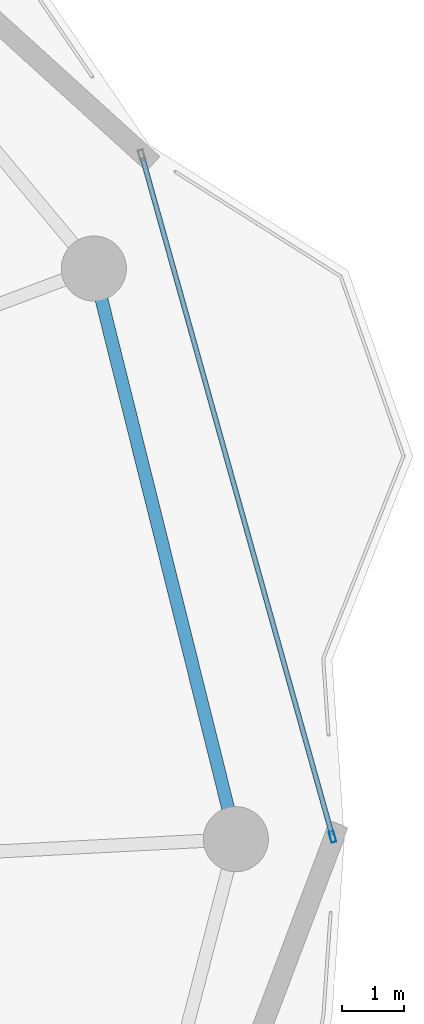
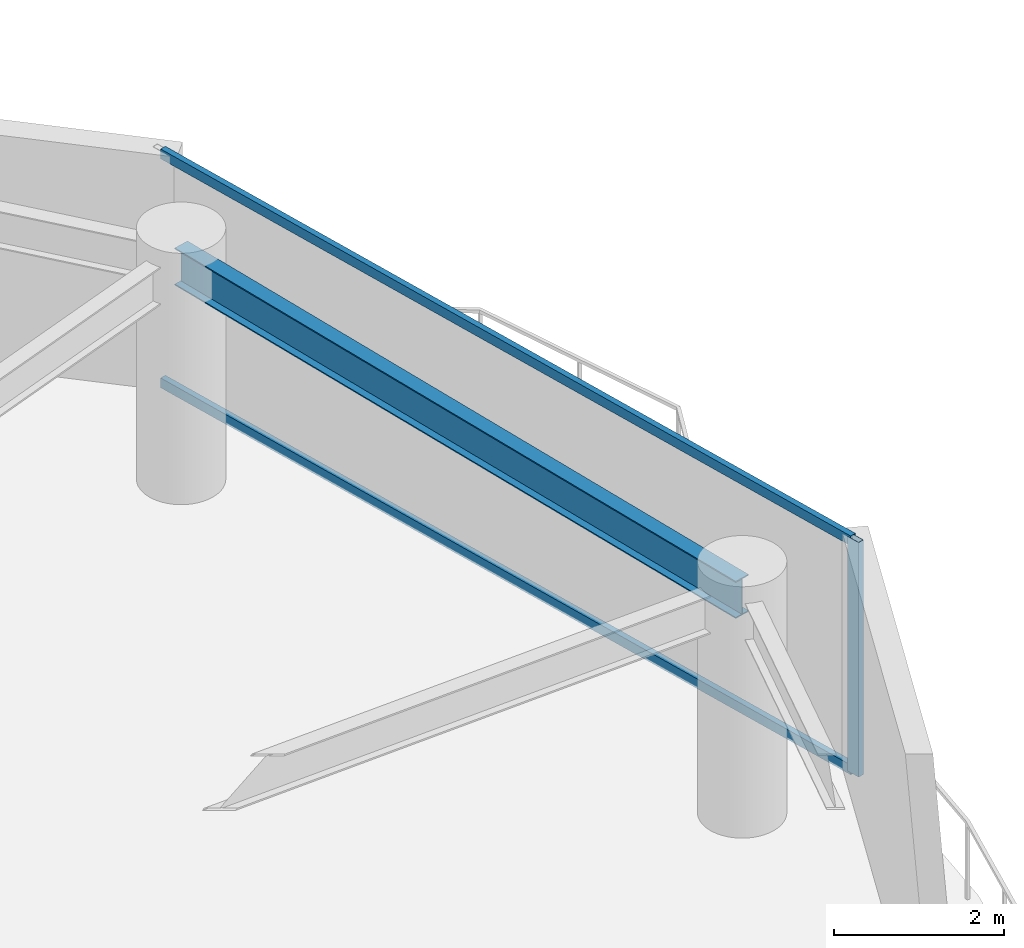
# One storey, part 15 of 28: 3 members, 1 beam, 1 element without a shape of its own.
"""IFC4 building model written with IfcOpenShell, lengths in metres."""

import ifcopenshell
import ifcopenshell.guid

model = None  # the IFC model being written
_history = None  # IfcOwnerHistory: only IFC2X3 demands one
_inside = {}  # id of a spatial element -> (the spatial element, [elements in it])
_under = {}  # id of a project, library or spatial element -> (it, [spatial elements below it])
_declared = {}  # id of a project -> (the project, [libraries it declares])
_typed = {}  # id of a type object -> (the type object, [elements of that type])
_made_of = {}  # id of a material, layer set ... -> (it, [elements and type objects made of it])


def new_model(schema):
    """Start an empty IFC model of exactly this schema.

    Asked for "IFC4X3", IfcOpenShell would pick the latest addendum, in which some entities
    have other attributes; the version numbers below select the first issue.
    IFC2X3 requires an IfcOwnerHistory on every rooted entity: one is made here for all.
    """
    global model, _history
    if schema == "IFC4X3":
        model = ifcopenshell.file(schema_version=(4, 3, 0, 0))
    else:
        model = ifcopenshell.file(schema=schema)
    _inside.clear()
    _under.clear()
    _declared.clear()
    _typed.clear()
    _made_of.clear()
    _history = None
    if model.schema == "IFC2X3":
        org = make("IfcOrganization", Name="unknown")
        user = make(
            "IfcPersonAndOrganization",
            ThePerson=make("IfcPerson", FamilyName="unknown"),
            TheOrganization=org,
        )
        app = make(
            "IfcApplication",
            ApplicationDeveloper=org,
            Version="unknown",
            ApplicationFullName="unknown",
            ApplicationIdentifier="unknown",
        )
        _history = make(
            "IfcOwnerHistory",
            OwningUser=user,
            OwningApplication=app,
            ChangeAction="ADDED",
            CreationDate=0,
        )
    return model


def make(cls, **values):
    """One entity of the class cls with the attributes given. An attribute that is None is left unset."""
    return model.create_entity(
        cls, **{name: value for name, value in values.items() if value is not None}
    )


def rooted(cls, **values):
    """An entity with a GlobalId (a new one), such as an element, a storey or a relation."""
    return make(cls, GlobalId=ifcopenshell.guid.new(), OwnerHistory=_history, **values)


def si_unit(unit_type, name, prefix=None):
    """IfcSIUnit, for example si_unit("LENGTHUNIT", "METRE", prefix="MILLI")."""
    return make("IfcSIUnit", UnitType=unit_type, Prefix=prefix, Name=name)


def assignment(units):
    """IfcUnitAssignment: the units of a project."""
    return None if units is None else make("IfcUnitAssignment", Units=units)


def point(xyz):
    """IfcCartesianPoint."""
    return None if xyz is None else make("IfcCartesianPoint", Coordinates=xyz)


def direction(xyz):
    """IfcDirection."""
    return None if xyz is None else make("IfcDirection", DirectionRatios=xyz)


def frame(location, z_axis=None, x_axis=None):
    """IfcAxis2Placement3D, a coordinate frame: its origin and axes. An axis left out is left unset."""
    return make(
        "IfcAxis2Placement3D",
        Location=point(location),
        Axis=direction(z_axis),
        RefDirection=direction(x_axis),
    )


def frame_2d(location, x_axis=None):
    """IfcAxis2Placement2D, a coordinate frame in the plane: its origin and x axis."""
    return make(
        "IfcAxis2Placement2D", Location=point(location), RefDirection=direction(x_axis)
    )


def origin():
    """The frame at (0, 0, 0) with its axes left unset."""
    return frame((0.0, 0.0, 0.0))


def origin_2d():
    """The frame at (0, 0) in the plane with its x axis left unset."""
    return frame_2d((0.0, 0.0))


def place(relative_to, where):
    """IfcLocalPlacement: puts the frame where relative to a parent placement (None: the world)."""
    return make(
        "IfcLocalPlacement", PlacementRelTo=relative_to, RelativePlacement=where
    )


def context(
    kind, dimensions, precision=None, world=None, true_north=None, identifier=None
):
    """IfcGeometricRepresentationContext, for example the 3D "Model" context."""
    return make(
        "IfcGeometricRepresentationContext",
        ContextIdentifier=identifier,
        ContextType=kind,
        CoordinateSpaceDimension=dimensions,
        Precision=precision,
        WorldCoordinateSystem=world,
        TrueNorth=true_north,
    )


def subcontext(parent, identifier, kind, view, scale=None):
    """IfcGeometricRepresentationSubContext, for example "Body" below "Model"."""
    return make(
        "IfcGeometricRepresentationSubContext",
        ContextIdentifier=identifier,
        ContextType=kind,
        ParentContext=parent,
        TargetScale=scale,
        TargetView=view,
    )


def project(units=None, contexts=None):
    """IfcProject with its units and contexts."""
    return rooted(
        "IfcProject",
        Name="project",
        RepresentationContexts=contexts,
        UnitsInContext=assignment(units),
    )


def spatial(cls, under=None, at=None, **own):
    """A site, building, storey or space (cls), placed at a placement, below another one or the project."""
    s = rooted(cls, ObjectPlacement=at, **own)
    if under is not None:
        _under.setdefault(under.id(), (under, []))[1].append(s)
    return s


def profile(cls, at=None, kind="AREA", **sizes):
    """A parametric profile (cls). Its sizes go by their IFC names, for example OverallWidth=200.0."""
    return make(cls, ProfileType=kind, Position=at, **sizes)


def hollow_rectangle(**sizes):
    """IfcRectangleHollowProfileDef."""
    return profile("IfcRectangleHollowProfileDef", **sizes)


def i_section(**sizes):
    """IfcIShapeProfileDef."""
    return profile("IfcIShapeProfileDef", **sizes)


def extrude(swept, where, along, depth):
    """IfcExtrudedAreaSolid: the profile swept, set in the frame where, extruded along a direction by depth."""
    return make(
        "IfcExtrudedAreaSolid",
        SweptArea=swept,
        Position=where,
        ExtrudedDirection=direction(along),
        Depth=depth,
    )


def shape(context_of_items, identifier, shape_type, items):
    """IfcShapeRepresentation: the items that make up one representation, for example the "Body"."""
    return make(
        "IfcShapeRepresentation",
        ContextOfItems=context_of_items,
        RepresentationIdentifier=identifier,
        RepresentationType=shape_type,
        Items=items,
    )


def material(Name=None, Category=None):
    """IfcMaterial."""
    return make("IfcMaterial", Name=Name, Category=Category)


def layer(
    of_material, thickness, ventilated=None, Name=None, Category=None, Priority=None
):
    """IfcMaterialLayer: one layer of a wall or slab, of a material (None: an air gap)."""
    return make(
        "IfcMaterialLayer",
        Material=of_material,
        LayerThickness=thickness,
        IsVentilated=ventilated,
        Name=Name,
        Category=Category,
        Priority=Priority,
    )


def layer_set(layers, Name=None):
    """IfcMaterialLayerSet."""
    return make("IfcMaterialLayerSet", MaterialLayers=layers, LayerSetName=Name)


def material_profile(
    of_material, cross_section, Name=None, Category=None, Priority=None
):
    """IfcMaterialProfile: a cross section and its material."""
    return make(
        "IfcMaterialProfile",
        Name=Name,
        Material=of_material,
        Profile=cross_section,
        Priority=Priority,
        Category=Category,
    )


def profile_set(profiles, Name=None, composite=None):
    """IfcMaterialProfileSet."""
    return make(
        "IfcMaterialProfileSet",
        Name=Name,
        MaterialProfiles=profiles,
        CompositeProfile=composite,
    )


def made_of(thing, what):
    """Note that an element or type object is made of a material, layer set ...; save() writes the relation."""
    if what is not None:
        _made_of.setdefault(what.id(), (what, []))[1].append(thing)
    return thing


def type_object(cls, material=None, **own):
    """A type object (cls), such as IfcWallType, which elements share."""
    return made_of(rooted(cls, **own), material)


def element(
    cls,
    number,
    at=None,
    inside=None,
    cuts=None,
    type_object=None,
    material=None,
    context=None,
    identifier="Body",
    shape_type=None,
    held_by="IfcProductDefinitionShape",
    body=None,
    shapes=None,
    **own,
):
    """One element of the class cls, such as IfcWall. Its Tag is "e" and its number.

    at: its placement. inside: the storey or other place that contains it. cuts: it is an
    opening in that element (IfcRelVoidsElement). A single representation is given by context,
    identifier, shape_type and body (its items); several are given by shapes. held_by: the class
    of the entity that holds the representations. save() writes the other relations.
    """
    e = rooted(cls, Tag="e%d" % number, ObjectPlacement=at, **own)
    if body is not None:
        shapes = [shape(context, identifier, shape_type, body)]
    if shapes is not None:
        e.Representation = make(held_by, Representations=shapes)
    if inside is not None:
        _inside.setdefault(inside.id(), (inside, []))[1].append(e)
    if cuts is not None:
        rooted(
            "IfcRelVoidsElement", RelatingBuildingElement=cuts, RelatedOpeningElement=e
        )
    if type_object is not None:
        _typed.setdefault(type_object.id(), (type_object, []))[1].append(e)
    return made_of(e, material)


def aggregate(whole, parts):
    """IfcRelAggregates: a whole, such as a stair, and the parts it consists of."""
    return rooted("IfcRelAggregates", RelatingObject=whole, RelatedObjects=parts)


def save(model, path):
    """Write the relations noted so far, then the file.

    IfcRelAggregates (storeys below a building ...), IfcRelContainedInSpatialStructure (elements
    in a storey), IfcRelDefinesByType, IfcRelAssociatesMaterial and IfcRelDeclares: one each for
    every whole, place, type object, material and project.
    """
    for whole, parts in _under.values():
        aggregate(whole, parts)
    for where, things in _inside.values():
        rooted(
            "IfcRelContainedInSpatialStructure",
            RelatedElements=things,
            RelatingStructure=where,
        )
    for kind, things in _typed.values():
        rooted("IfcRelDefinesByType", RelatedObjects=things, RelatingType=kind)
    for what, things in _made_of.values():
        rooted("IfcRelAssociatesMaterial", RelatedObjects=things, RelatingMaterial=what)
    for by, libraries in _declared.values():
        rooted("IfcRelDeclares", RelatingContext=by, RelatedDefinitions=libraries)
    model.write(path)


model = new_model("IFC4")

# Units and contexts
model_context = context("Model", 3, precision=1e-05, world=origin(), true_north=direction((0.0, 1.0)))
body_context = subcontext(model_context, "Body", "Model", "MODEL_VIEW")
ifc_project = project(units=[si_unit("LENGTHUNIT", "METRE"), si_unit("AREAUNIT", "SQUARE_METRE"), si_unit("VOLUMEUNIT", "CUBIC_METRE"), si_unit("PLANEANGLEUNIT", "RADIAN"), si_unit("MASSUNIT", "GRAM", prefix="KILO")], contexts=[model_context])

# Site, building, storey
site_placement = place(None, origin())
site = spatial("IfcSite", under=ifc_project, at=site_placement, CompositionType="ELEMENT")
building_placement = place(site_placement, origin())
building = spatial("IfcBuilding", under=site, at=building_placement, Name="Kazevale Care Tower and Concert Hall", CompositionType="ELEMENT")
storey_placement = place(building_placement, frame((0.0, 0.0, 228.0)))
storey = spatial("IfcBuildingStorey", under=building, at=storey_placement, Name="L60", CompositionType="ELEMENT", Elevation=228.0)

# Curtain wall, members
ifc_material_1 = material(Name="Aluminium 6063-T6 and Low-E Glass", Category="aluminium")
ifc_layer = layer(ifc_material_1, 0.179931640625)
ifc_layer_set = layer_set([ifc_layer], Name="Aluminium 6063-T6 and Low-E Glass")
curtain_wall_type = type_object("IfcCurtainWallType", Name="Waist & Upper Residential Curtain Wall CW-4", PredefinedType="NOTDEFINED", material=ifc_layer_set)
curtain_wall_placement = place(storey_placement, origin())
curtain_wall = element("IfcCurtainWall", 1, at=curtain_wall_placement, inside=storey, type_object=curtain_wall_type, Name="cw:L60:f18", PredefinedType="NOTDEFINED")
ifc_material_2 = material(Name="Aluminium 6063-T6", Category="aluminium")
ifc_material_profile_1 = material_profile(ifc_material_2, hollow_rectangle(XDim=0.080078125, YDim=0.179931640625, WallThickness=0.0048828125, at=origin_2d()), Name="ALU80x180x5")
ifc_profile_set_1 = profile_set([ifc_material_profile_1], Name="Aluminium 6063-T6")
member_type_1 = type_object("IfcMemberType", Name="CW-4 Mullion ALU80x180x5", PredefinedType="MULLION", material=ifc_profile_set_1)
member_1_placement = place(storey_placement, frame((76.609130859375, 38.03857421875, 0.0), z_axis=(0.0, 0.0, 1.0), x_axis=(0.962972156211, 0.269600864915, 0.0)))
member_1 = element("IfcMember", 2, at=member_1_placement, type_object=member_type_1, Name="CW-4 mullion 2", PredefinedType="MULLION", context=body_context, shape_type="SweptSolid", body=[
    extrude(hollow_rectangle(XDim=0.080078125, YDim=0.179931640625, WallThickness=0.0048828125, at=origin_2d()), origin(), (0.0, 0.0, 1.0), 3.360107421875),
])
ifc_material_profile_2 = material_profile(ifc_material_2, hollow_rectangle(XDim=0.080078125, YDim=0.139892578125, WallThickness=0.00390625, at=origin_2d()), Name="ALU80x140x4")
ifc_profile_set_2 = profile_set([ifc_material_profile_2], Name="Aluminium 6063-T6")
member_type_2 = type_object("IfcMemberType", Name="CW-4 Transom ALU80x140x4", PredefinedType="USERDEFINED", material=ifc_profile_set_2)
member_2_placement = place(storey_placement, frame((73.544677734375, 48.98486328125, 0.0400390625), z_axis=(0.269593149795, -0.96297431616, 0.0), x_axis=(0.96297431616, 0.269593149795, 0.0)))
member_2 = element("IfcMember", 3, at=member_2_placement, type_object=member_type_2, Name="CW-4 transom 1.1", ObjectType="TRANSOM", PredefinedType="USERDEFINED", context=body_context, shape_type="SweptSolid", body=[
    extrude(hollow_rectangle(XDim=0.080078125, YDim=0.139892578125, WallThickness=0.00390625, at=origin_2d()), origin(), (0.0, 0.0, 1.0), 11.3271484375),
])
member_3_placement = place(storey_placement, frame((73.544677734375, 48.98486328125, 3.320068359375), z_axis=(0.269593149795, -0.96297431616, 0.0), x_axis=(0.96297431616, 0.269593149795, 0.0)))
member_3 = element("IfcMember", 4, at=member_3_placement, type_object=member_type_2, Name="CW-4 transom 1.2", ObjectType="TRANSOM", PredefinedType="USERDEFINED", context=body_context, shape_type="SweptSolid", body=[
    extrude(hollow_rectangle(XDim=0.080078125, YDim=0.139892578125, WallThickness=0.00390625, at=origin_2d()), origin(), (0.0, 0.0, 1.0), 11.3271484375),
])
aggregate(curtain_wall, [member_1, member_2, member_3])

# Beam
ifc_material_3 = material(Name="Steel ASTM A572 Gr 50", Category="steel")
ifc_material_profile_3 = material_profile(ifc_material_3, i_section(OverallWidth=0.208984375, OverallDepth=0.532958984375, WebThickness=0.01025390625, FlangeThickness=0.015625, at=origin_2d()), Name="W530x92")
ifc_profile_set_3 = profile_set([ifc_material_profile_3], Name="Steel ASTM A572 Gr 50")
beam_type = type_object("IfcBeamType", Name="Upper Ring Beam W530x92", PredefinedType="BEAM", material=ifc_profile_set_3)
beam_placement = place(storey_placement, frame((75.050048828125, 38.0, 3.093505859375), z_axis=(-0.241547858543, 0.970388907621, 0.0), x_axis=(-0.970388907621, -0.241547858543, 0.0)))
element("IfcBeam", 5, at=beam_placement, inside=storey, type_object=beam_type, Name="beam:L60:ring:01", PredefinedType="BEAM", context=body_context, shape_type="SweptSolid", body=[
    extrude(i_section(OverallWidth=0.208984375, OverallDepth=0.532958984375, WebThickness=0.01025390625, FlangeThickness=0.015625, at=origin_2d()), origin(), (0.0, 0.0, 1.0), 9.480712890625),
])

save(model, "model.ifc")
